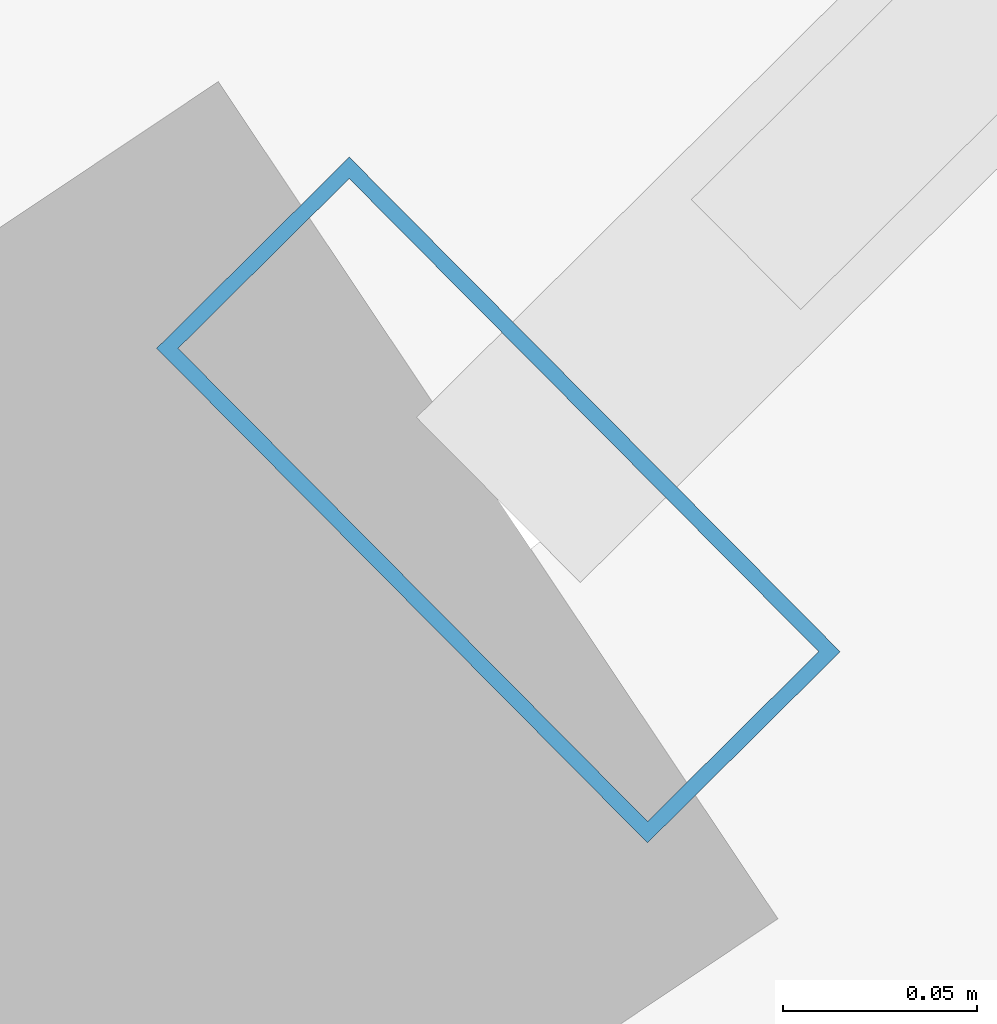
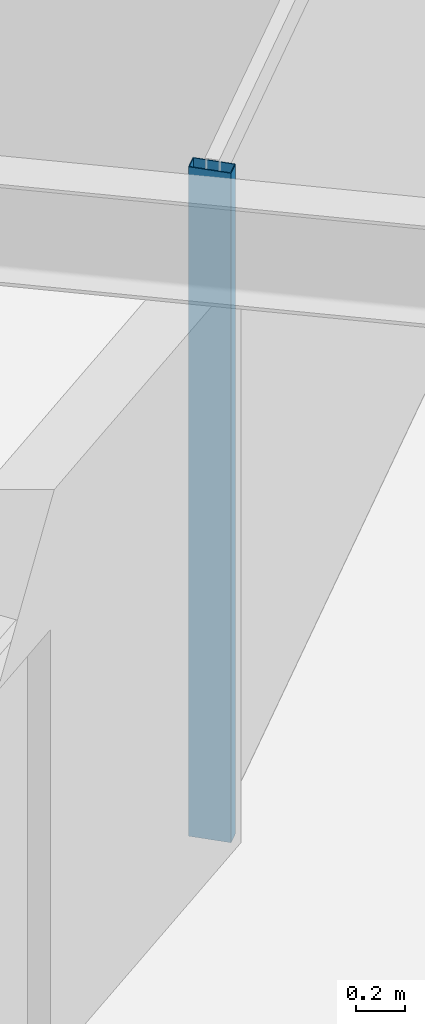
# One storey, part 7 of 19: 1 member, 1 element without a shape of its own.
"""IFC4 building model written with IfcOpenShell, lengths in metres."""

from ifc_helpers import new_model, si_unit, direction, frame, origin, origin_2d, place, context, subcontext, project, spatial, hollow_rectangle, extrude, material, layer, layer_set, material_profile, profile_set, type_object, element, aggregate, save


model = new_model("IFC4")

# Units and contexts
model_context = context("Model", 3, precision=1e-05, world=origin(), true_north=direction((0.0, 1.0)))
body_context = subcontext(model_context, "Body", "Model", "MODEL_VIEW")
ifc_project = project(units=[si_unit("LENGTHUNIT", "METRE"), si_unit("AREAUNIT", "SQUARE_METRE"), si_unit("VOLUMEUNIT", "CUBIC_METRE"), si_unit("PLANEANGLEUNIT", "RADIAN"), si_unit("MASSUNIT", "GRAM", prefix="KILO")], contexts=[model_context])

# Site, building, storey
site_placement = place(None, origin())
site = spatial("IfcSite", under=ifc_project, at=site_placement, CompositionType="ELEMENT")
building_placement = place(site_placement, origin())
building = spatial("IfcBuilding", under=site, at=building_placement, Name="Veldorina Hangang Commons", CompositionType="ELEMENT")
storey_placement = place(building_placement, frame((0.0, 0.0, 156.800048828125)))
storey = spatial("IfcBuildingStorey", under=building, at=storey_placement, Name="L40", CompositionType="ELEMENT", Elevation=156.800048828125)

# Curtain wall, member
ifc_material_1 = material(Name="Glass Low-E Triple IGU", Category="glass")
ifc_layer = layer(ifc_material_1, 0.179931640625)
ifc_layer_set = layer_set([ifc_layer], Name="Glass Low-E Triple IGU")
curtain_wall_type = type_object("IfcCurtainWallType", Name="CW-SYS-Z2", PredefinedType="NOTDEFINED", material=ifc_layer_set)
curtain_wall_placement = place(storey_placement, origin())
curtain_wall = element("IfcCurtainWall", 1, at=curtain_wall_placement, inside=storey, type_object=curtain_wall_type, Name="L40 unitised curtain wall CW-L40-R2", PredefinedType="NOTDEFINED")
ifc_material_2 = material(Name="Aluminium Anodized AA6063-T6", Category="aluminium")
ifc_material_profile = material_profile(ifc_material_2, hollow_rectangle(XDim=0.070068359375, YDim=0.179931640625, WallThickness=0.00390625, at=origin_2d()), Name="ALU-RHS-180x70x4")
ifc_profile_set = profile_set([ifc_material_profile], Name="Aluminium Anodized AA6063-T6")
member_type = type_object("IfcMemberType", Name="CW-MUL-180", PredefinedType="MULLION", material=ifc_profile_set)
member_placement = place(storey_placement, frame((50.18310546875, 9.190185546875, 0.0), z_axis=(0.0, 0.0, 1.0), x_axis=(0.709792068883, 0.704411256974, 0.0)))
member = element("IfcMember", 2, at=member_placement, type_object=member_type, Name="CW-L40-R2 vertical mullion 1", PredefinedType="MULLION", context=body_context, shape_type="SweptSolid", body=[
    extrude(hollow_rectangle(XDim=0.070068359375, YDim=0.179931640625, WallThickness=0.00390625, at=origin_2d()), origin(), (0.0, 0.0, 1.0), 3.31005859375),
])
aggregate(curtain_wall, [member])

save(model, "model.ifc")
